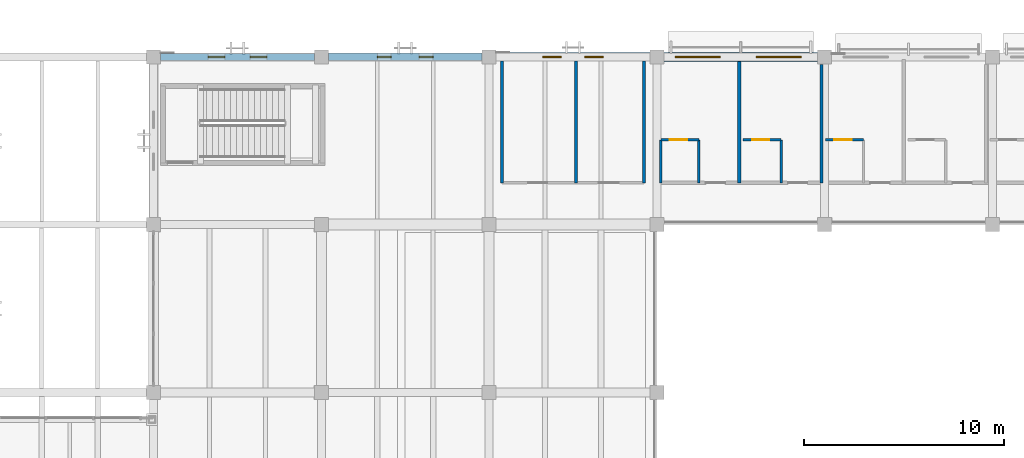
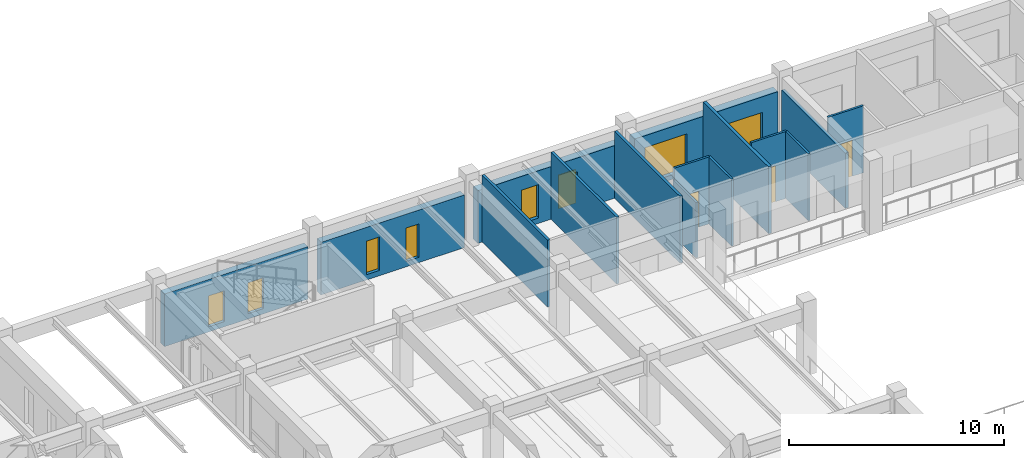
# One storey, part 93 of 132: 15 walls, 8 windows, 3 doors, 11 openings.
"""IFC4 building model written with IfcOpenShell, lengths in metres."""

from ifc_helpers import new_model, si_unit, direction, frame, frame_2d, origin, place, context, subcontext, project, spatial, rectangle, extrude, material, layer, layer_set, type_object, element, fill, save


model = new_model("IFC4")

# Units and contexts
model_context = context("Model", 3, precision=1e-05, world=origin(), true_north=direction((0.0, 1.0)))
body_context = subcontext(model_context, "Body", "Model", "MODEL_VIEW")
ifc_project = project(units=[si_unit("LENGTHUNIT", "METRE"), si_unit("AREAUNIT", "SQUARE_METRE"), si_unit("VOLUMEUNIT", "CUBIC_METRE"), si_unit("PLANEANGLEUNIT", "RADIAN"), si_unit("MASSUNIT", "GRAM", prefix="KILO")], contexts=[model_context])

# Site, building, storey
site_placement = place(None, origin())
site = spatial("IfcSite", under=ifc_project, at=site_placement, CompositionType="ELEMENT")
building_placement = place(site_placement, origin())
building = spatial("IfcBuilding", under=site, at=building_placement, Name="Cumbredor Promenade Congress Hotel", CompositionType="ELEMENT")
storey_placement = place(building_placement, frame((0.0, 0.0, 7.56005859375)))
storey = spatial("IfcBuildingStorey", under=building, at=storey_placement, Name="L02", CompositionType="ELEMENT", Elevation=7.56005859375)

# Wall, opening, door
ifc_material_1 = material(Name="Moisture-resistant gypsum board on steel studs", Category="steel")
ifc_layer_1 = layer(ifc_material_1, 0.114990234375, Name="Moisture-resistant gypsum board on steel studs", Category="steel")
ifc_layer_set_1 = layer_set([ifc_layer_1], Name="Moisture-resistant gypsum board on steel studs")
wall_type_1 = type_object("IfcWallType", Name="WL-BATH-115", PredefinedType="PARTITIONING", material=ifc_layer_set_1)
wall_1_placement = place(storey_placement, frame((117.800048828125, 113.449951171875, 0.0), z_axis=(0.0, 0.0, 1.0), x_axis=(1.0, 0.0, 0.0)))
wall_1 = element("IfcWall", 1, at=wall_1_placement, inside=storey, type_object=wall_type_1, Name="L02 Interior Partition W-L02-FBH-F0201", PredefinedType="PARTITIONING", context=body_context, shape_type="SweptSolid", body=[
    extrude(rectangle(XDim=1.89990234375, YDim=0.114990234375, at=frame_2d((0.949951171875, 0.0))), origin(), (0.0, 0.0, 1.0), 3.800048828125),
])
opening_1_placement = place(wall_1_placement, frame((0.449951171875, 0.0, 0.0)))
opening_1 = element("IfcOpeningElement", 2, at=opening_1_placement, cuts=wall_1, Name="Opening ID-01", PredefinedType="OPENING", context=body_context, shape_type="SweptSolid", body=[
    extrude(rectangle(XDim=0.860107421875, YDim=2.050048828125, at=frame_2d((0.43017578125, 1.02490234375))), frame((0.0, 0.0673828125, 0.0), z_axis=(0.0, -1.0, 0.0), x_axis=(1.0, 0.0, 0.0)), (0.0, 0.0, 1.0), 0.135009765625),
])
ifc_material_2 = material(Name="Kiln-dried tropical hardwood", Category="wood")
door_type = type_object("IfcDoorType", Name="DR-BATH-860", OperationType="NOTDEFINED", PredefinedType="DOOR", material=ifc_material_2)
door_1_placement = place(opening_1_placement, origin())
door_1 = element("IfcDoor", 3, at=door_1_placement, inside=storey, type_object=door_type, Name="L02 Interior Door W-L02-FBH-F0201-01", OperationType="SINGLE_SWING_RIGHT", OverallHeight=2.050048828125, OverallWidth=0.860107421875, PredefinedType="DOOR", context=body_context, shape_type="SweptSolid", body=[
    extrude(rectangle(XDim=0.860107421875, YDim=2.050048828125, at=frame_2d((0.43017578125, 1.02490234375))), frame((0.0, 0.02490234375, 0.0), z_axis=(0.0, -1.0, 0.0), x_axis=(1.0, 0.0, 0.0)), (0.0, 0.0, 1.0), 0.050048828125),
])
fill(opening_1, door_1)

# Walls
wall_2_placement = place(storey_placement, frame((119.699951171875, 111.300048828125, 0.0), z_axis=(0.0, 0.0, 1.0), x_axis=(0.0, 1.0, 0.0)))
element("IfcWall", 4, at=wall_2_placement, inside=storey, type_object=wall_type_1, Name="L02 Interior Partition W-L02-FBV-F0201", PredefinedType="PARTITIONING", context=body_context, shape_type="SweptSolid", body=[
    extrude(rectangle(XDim=2.14990234375, YDim=0.114990234375, at=frame_2d((1.074951171875, 0.0))), origin(), (0.0, 0.0, 1.0), 3.800048828125),
])
wall_3_placement = place(storey_placement, frame((117.800048828125, 111.300048828125, 0.0), z_axis=(0.0, 0.0, 1.0), x_axis=(0.0, 1.0, 0.0)))
element("IfcWall", 5, at=wall_3_placement, inside=storey, type_object=wall_type_1, Name="L02 Interior Partition W-L02-FBV0-F0201", PredefinedType="PARTITIONING", context=body_context, shape_type="SweptSolid", body=[
    extrude(rectangle(XDim=2.14990234375, YDim=0.114990234375, at=frame_2d((1.074951171875, 0.0))), origin(), (0.0, 0.0, 1.0), 3.135009765625),
])

# Wall, opening, door
wall_4_placement = place(storey_placement, frame((121.919921875, 113.449951171875, 0.0), z_axis=(0.0, 0.0, 1.0), x_axis=(1.0, 0.0, 0.0)))
wall_4 = element("IfcWall", 6, at=wall_4_placement, inside=storey, type_object=wall_type_1, Name="L02 Interior Partition W-L02-FBH-F0202", PredefinedType="PARTITIONING", context=body_context, shape_type="SweptSolid", body=[
    extrude(rectangle(XDim=1.900146484375, YDim=0.114990234375, at=frame_2d((0.9501953125, 0.0))), origin(), (0.0, 0.0, 1.0), 3.800048828125),
])
opening_2_placement = place(wall_4_placement, frame((0.449951171875, 0.0, 0.0)))
opening_2 = element("IfcOpeningElement", 7, at=opening_2_placement, cuts=wall_4, Name="Opening ID-01", PredefinedType="OPENING", context=body_context, shape_type="SweptSolid", body=[
    extrude(rectangle(XDim=0.860107421875, YDim=2.050048828125, at=frame_2d((0.43017578125, 1.02490234375))), frame((0.0, 0.0673828125, 0.0), z_axis=(0.0, -1.0, 0.0), x_axis=(1.0, 0.0, 0.0)), (0.0, 0.0, 1.0), 0.135009765625),
])
door_2_placement = place(opening_2_placement, origin())
door_2 = element("IfcDoor", 8, at=door_2_placement, inside=storey, type_object=door_type, Name="L02 Interior Door W-L02-FBH-F0202-01", OperationType="SINGLE_SWING_LEFT", OverallHeight=2.050048828125, OverallWidth=0.860107421875, PredefinedType="DOOR", context=body_context, shape_type="SweptSolid", body=[
    extrude(rectangle(XDim=0.860107421875, YDim=2.050048828125, at=frame_2d((0.43017578125, 1.02490234375))), frame((0.0, 0.02490234375, 0.0), z_axis=(0.0, -1.0, 0.0), x_axis=(1.0, 0.0, 0.0)), (0.0, 0.0, 1.0), 0.050048828125),
])
fill(opening_2, door_2)

# Wall
wall_5_placement = place(storey_placement, frame((123.820068359375, 111.300048828125, 0.0), z_axis=(0.0, 0.0, 1.0), x_axis=(0.0, 1.0, 0.0)))
element("IfcWall", 9, at=wall_5_placement, inside=storey, type_object=wall_type_1, Name="L02 Interior Partition W-L02-FBV-F0202", PredefinedType="PARTITIONING", context=body_context, shape_type="SweptSolid", body=[
    extrude(rectangle(XDim=2.14990234375, YDim=0.114990234375, at=frame_2d((1.074951171875, 0.0))), origin(), (0.0, 0.0, 1.0), 3.800048828125),
])

# Wall, opening, door
wall_6_placement = place(storey_placement, frame((126.0400390625, 113.449951171875, 0.0), z_axis=(0.0, 0.0, 1.0), x_axis=(1.0, 0.0, 0.0)))
wall_6 = element("IfcWall", 10, at=wall_6_placement, inside=storey, type_object=wall_type_1, Name="L02 Interior Partition W-L02-FBH-F0203", PredefinedType="PARTITIONING", context=body_context, shape_type="SweptSolid", body=[
    extrude(rectangle(XDim=1.89990234375, YDim=0.114990234375, at=frame_2d((0.949951171875, 0.0))), origin(), (0.0, 0.0, 1.0), 3.800048828125),
])
opening_3_placement = place(wall_6_placement, frame((0.449951171875, 0.0, 0.0)))
opening_3 = element("IfcOpeningElement", 11, at=opening_3_placement, cuts=wall_6, Name="Opening ID-01", PredefinedType="OPENING", context=body_context, shape_type="SweptSolid", body=[
    extrude(rectangle(XDim=0.860107421875, YDim=2.050048828125, at=frame_2d((0.43017578125, 1.02490234375))), frame((0.0, 0.0673828125, 0.0), z_axis=(0.0, -1.0, 0.0), x_axis=(1.0, 0.0, 0.0)), (0.0, 0.0, 1.0), 0.135009765625),
])
door_3_placement = place(opening_3_placement, origin())
door_3 = element("IfcDoor", 12, at=door_3_placement, inside=storey, type_object=door_type, Name="L02 Interior Door W-L02-FBH-F0203-01", OperationType="SINGLE_SWING_RIGHT", OverallHeight=2.050048828125, OverallWidth=0.860107421875, PredefinedType="DOOR", context=body_context, shape_type="SweptSolid", body=[
    extrude(rectangle(XDim=0.860107421875, YDim=2.050048828125, at=frame_2d((0.43017578125, 1.02490234375))), frame((0.0, 0.02490234375, 0.0), z_axis=(0.0, -1.0, 0.0), x_axis=(1.0, 0.0, 0.0)), (0.0, 0.0, 1.0), 0.050048828125),
])
fill(opening_3, door_3)

# Wall, openings, windows
ifc_material_3 = material(Name="Concrete C40/50", Category="concrete")
ifc_layer_2 = layer(ifc_material_3, 0.35009765625, Name="Concrete C40/50", Category="concrete")
ifc_layer_set_2 = layer_set([ifc_layer_2], Name="Concrete C40/50")
wall_type_2 = type_object("IfcWallType", Name="WL-EXT-350", PredefinedType="SOLIDWALL", material=ifc_layer_set_2)
wall_7_placement = place(storey_placement, frame((92.7509765625, 117.60009765625, 0.0), z_axis=(0.0, 0.0, 1.0), x_axis=(1.0, 0.0, 0.0)))
wall_7 = element("IfcWall", 13, at=wall_7_placement, inside=storey, type_object=wall_type_2, Name="L02 Pre-Function and Breakout Meeting Forum North Envelope Wall 1", PredefinedType="SOLIDWALL", context=body_context, shape_type="SweptSolid", body=[
    extrude(rectangle(XDim=7.697998046875, YDim=0.35009765625, at=frame_2d((3.84912109375, 0.0))), origin(), (0.0, 0.0, 1.0), 2.98486328125),
])
opening_4_placement = place(wall_7_placement, frame((2.37890625, 0.0, 0.300048828125)))
opening_4 = element("IfcOpeningElement", 14, at=opening_4_placement, cuts=wall_7, Name="Opening WN-62", PredefinedType="OPENING", context=body_context, shape_type="SweptSolid", body=[
    extrude(rectangle(XDim=0.840087890625, YDim=1.75, at=frame_2d((0.419921875, 0.875))), frame((0.0, 0.18505859375, 0.0), z_axis=(0.0, -1.0, 0.0), x_axis=(1.0, 0.0, 0.0)), (0.0, 0.0, 1.0), 0.3701171875),
])
opening_5_placement = place(wall_7_placement, frame((4.47900390625, 0.0, 0.300048828125)))
opening_5 = element("IfcOpeningElement", 15, at=opening_5_placement, cuts=wall_7, Name="Opening WN-62", PredefinedType="OPENING", context=body_context, shape_type="SweptSolid", body=[
    extrude(rectangle(XDim=0.840087890625, YDim=1.75, at=frame_2d((0.419921875, 0.875))), frame((0.0, 0.18505859375, 0.0), z_axis=(0.0, -1.0, 0.0), x_axis=(1.0, 0.0, 0.0)), (0.0, 0.0, 1.0), 0.3701171875),
])
ifc_material_4 = material(Name="Thermally broken anodized aluminium and low-E glass", Category="aluminium")
window_type_1 = type_object("IfcWindowType", Name="Vertical Slot Window WN-62 840x1750", PartitioningType="SINGLE_PANEL", PredefinedType="WINDOW", material=ifc_material_4)
window_1_placement = place(opening_4_placement, origin())
window_1 = element("IfcWindow", 16, at=window_1_placement, inside=storey, type_object=window_type_1, Name="L02 Vertical Slot Window 0266", OverallHeight=1.75, OverallWidth=0.840087890625, PartitioningType="SINGLE_PANEL", PredefinedType="WINDOW", context=body_context, shape_type="SweptSolid", body=[
    extrude(rectangle(XDim=0.840087890625, YDim=1.75, at=frame_2d((0.419921875, 0.875))), frame((0.0, 0.030029296875, 0.0), z_axis=(0.0, -1.0, 0.0), x_axis=(1.0, 0.0, 0.0)), (0.0, 0.0, 1.0), 0.06005859375),
])
fill(opening_4, window_1)
window_2_placement = place(opening_5_placement, origin())
window_2 = element("IfcWindow", 17, at=window_2_placement, inside=storey, type_object=window_type_1, Name="L02 Vertical Slot Window 0267", OverallHeight=1.75, OverallWidth=0.840087890625, PartitioningType="SINGLE_PANEL", PredefinedType="WINDOW", context=body_context, shape_type="SweptSolid", body=[
    extrude(rectangle(XDim=0.840087890625, YDim=1.75, at=frame_2d((0.419921875, 0.875))), frame((0.0, 0.030029296875, 0.0), z_axis=(0.0, -1.0, 0.0), x_axis=(1.0, 0.0, 0.0)), (0.0, 0.0, 1.0), 0.06005859375),
])
fill(opening_5, window_2)

ifc_layer_3 = layer(ifc_material_3, 0.3798828125, Name="Concrete C40/50", Category="concrete")
ifc_layer_set_3 = layer_set([ifc_layer_3], Name="Concrete C40/50")
wall_type_3 = type_object("IfcWallType", Name="WL-EXT-380", PredefinedType="SOLIDWALL", material=ifc_layer_set_3)
wall_8_placement = place(storey_placement, frame((101.15087890625, 117.60009765625, 0.0), z_axis=(0.0, 0.0, 1.0), x_axis=(1.0, 0.0, 0.0)))
wall_8 = element("IfcWall", 18, at=wall_8_placement, inside=storey, type_object=wall_type_3, Name="L02 Pre-Function and Breakout Meeting Forum North Envelope Wall 2", PredefinedType="SOLIDWALL", context=body_context, shape_type="SweptSolid", body=[
    extrude(rectangle(XDim=7.6982421875, YDim=0.3798828125, at=frame_2d((3.84912109375, 0.0))), origin(), (0.0, 0.0, 1.0), 2.98486328125),
])
opening_6_placement = place(wall_8_placement, frame((2.448974609375, 0.0, 0.300048828125)))
opening_6 = element("IfcOpeningElement", 19, at=opening_6_placement, cuts=wall_8, Name="Opening WN-65", PredefinedType="OPENING", context=body_context, shape_type="SweptSolid", body=[
    extrude(rectangle(XDim=0.699951171875, YDim=1.89990234375, at=frame_2d((0.35009765625, 0.949951171875))), frame((0.0, 0.199951171875, 0.0), z_axis=(0.0, -1.0, 0.0), x_axis=(1.0, 0.0, 0.0)), (0.0, 0.0, 1.0), 0.39990234375),
])
opening_7_placement = place(wall_8_placement, frame((4.549072265625, 0.0, 0.300048828125)))
opening_7 = element("IfcOpeningElement", 20, at=opening_7_placement, cuts=wall_8, Name="Opening WN-65", PredefinedType="OPENING", context=body_context, shape_type="SweptSolid", body=[
    extrude(rectangle(XDim=0.699951171875, YDim=1.89990234375, at=frame_2d((0.35009765625, 0.949951171875))), frame((0.0, 0.199951171875, 0.0), z_axis=(0.0, -1.0, 0.0), x_axis=(1.0, 0.0, 0.0)), (0.0, 0.0, 1.0), 0.39990234375),
])
window_type_2 = type_object("IfcWindowType", Name="Vertical Slot Window WN-65 700x1900", PartitioningType="SINGLE_PANEL", PredefinedType="WINDOW", material=ifc_material_4)
window_3_placement = place(opening_6_placement, origin())
window_3 = element("IfcWindow", 21, at=window_3_placement, inside=storey, type_object=window_type_2, Name="L02 Vertical Slot Window 0268", OverallHeight=1.89990234375, OverallWidth=0.699951171875, PartitioningType="SINGLE_PANEL", PredefinedType="WINDOW", context=body_context, shape_type="SweptSolid", body=[
    extrude(rectangle(XDim=0.699951171875, YDim=1.89990234375, at=frame_2d((0.35009765625, 0.949951171875))), frame((0.0, 0.030029296875, 0.0), z_axis=(0.0, -1.0, 0.0), x_axis=(1.0, 0.0, 0.0)), (0.0, 0.0, 1.0), 0.06005859375),
])
fill(opening_6, window_3)
window_4_placement = place(opening_7_placement, origin())
window_4 = element("IfcWindow", 22, at=window_4_placement, inside=storey, type_object=window_type_2, Name="L02 Vertical Slot Window 0269", OverallHeight=1.89990234375, OverallWidth=0.699951171875, PartitioningType="SINGLE_PANEL", PredefinedType="WINDOW", context=body_context, shape_type="SweptSolid", body=[
    extrude(rectangle(XDim=0.699951171875, YDim=1.89990234375, at=frame_2d((0.35009765625, 0.949951171875))), frame((0.0, 0.030029296875, 0.0), z_axis=(0.0, -1.0, 0.0), x_axis=(1.0, 0.0, 0.0)), (0.0, 0.0, 1.0), 0.06005859375),
])
fill(opening_7, window_4)

ifc_layer_4 = layer(ifc_material_3, 0.425048828125, Name="Concrete C40/50", Category="concrete")
ifc_layer_set_4 = layer_set([ifc_layer_4], Name="Concrete C40/50")
wall_type_4 = type_object("IfcWallType", Name="WL-EXT-425", PredefinedType="SOLIDWALL", material=ifc_layer_set_4)
wall_9_placement = place(storey_placement, frame((109.551025390625, 117.60009765625, 0.0), z_axis=(0.0, 0.0, 1.0), x_axis=(1.0, 0.0, 0.0)))
wall_9 = element("IfcWall", 23, at=wall_9_placement, inside=storey, type_object=wall_type_4, Name="L02 Pre-Function and Breakout Meeting Forum North Envelope Wall 3", PredefinedType="SOLIDWALL", context=body_context, shape_type="SweptSolid", body=[
    extrude(rectangle(XDim=7.697998046875, YDim=0.425048828125, at=frame_2d((3.84912109375, 0.0))), origin(), (0.0, 0.0, 1.0), 2.98486328125),
])
opening_8_placement = place(wall_9_placement, frame((2.333984375, 0.0, 0.300048828125)))
opening_8 = element("IfcOpeningElement", 24, at=opening_8_placement, cuts=wall_9, Name="Opening WN-68", PredefinedType="OPENING", context=body_context, shape_type="SweptSolid", body=[
    extrude(rectangle(XDim=0.929931640625, YDim=1.89990234375, at=frame_2d((0.46484375, 0.949951171875))), frame((0.0, 0.22265625, 0.0), z_axis=(0.0, -1.0, 0.0), x_axis=(1.0, 0.0, 0.0)), (0.0, 0.0, 1.0), 0.445068359375),
])
opening_9_placement = place(wall_9_placement, frame((4.43408203125, 0.0, 0.300048828125)))
opening_9 = element("IfcOpeningElement", 25, at=opening_9_placement, cuts=wall_9, Name="Opening WN-68", PredefinedType="OPENING", context=body_context, shape_type="SweptSolid", body=[
    extrude(rectangle(XDim=0.929931640625, YDim=1.89990234375, at=frame_2d((0.46484375, 0.949951171875))), frame((0.0, 0.22265625, 0.0), z_axis=(0.0, -1.0, 0.0), x_axis=(1.0, 0.0, 0.0)), (0.0, 0.0, 1.0), 0.445068359375),
])
window_type_3 = type_object("IfcWindowType", Name="Vertical Slot Window WN-68 930x1900", PartitioningType="SINGLE_PANEL", PredefinedType="WINDOW", material=ifc_material_4)
window_5_placement = place(opening_8_placement, origin())
window_5 = element("IfcWindow", 26, at=window_5_placement, inside=storey, type_object=window_type_3, Name="L02 Vertical Slot Window 0270", OverallHeight=1.89990234375, OverallWidth=0.929931640625, PartitioningType="SINGLE_PANEL", PredefinedType="WINDOW", context=body_context, shape_type="SweptSolid", body=[
    extrude(rectangle(XDim=0.929931640625, YDim=1.89990234375, at=frame_2d((0.46484375, 0.949951171875))), frame((0.0, 0.030029296875, 0.0), z_axis=(0.0, -1.0, 0.0), x_axis=(1.0, 0.0, 0.0)), (0.0, 0.0, 1.0), 0.06005859375),
])
fill(opening_8, window_5)
window_6_placement = place(opening_9_placement, origin())
window_6 = element("IfcWindow", 27, at=window_6_placement, inside=storey, type_object=window_type_3, Name="L02 Vertical Slot Window 0271", OverallHeight=1.89990234375, OverallWidth=0.929931640625, PartitioningType="SINGLE_PANEL", PredefinedType="WINDOW", context=body_context, shape_type="SweptSolid", body=[
    extrude(rectangle(XDim=0.929931640625, YDim=1.89990234375, at=frame_2d((0.46484375, 0.949951171875))), frame((0.0, 0.030029296875, 0.0), z_axis=(0.0, -1.0, 0.0), x_axis=(1.0, 0.0, 0.0)), (0.0, 0.0, 1.0), 0.06005859375),
])
fill(opening_9, window_6)

ifc_layer_5 = layer(ifc_material_3, 0.449951171875, Name="Concrete C40/50", Category="concrete")
ifc_layer_set_5 = layer_set([ifc_layer_5], Name="Concrete C40/50")
wall_type_5 = type_object("IfcWallType", Name="WL-EXT-450", PredefinedType="SOLIDWALL", material=ifc_layer_set_5)
wall_10_placement = place(storey_placement, frame((117.950927734375, 117.60009765625, 0.0), z_axis=(0.0, 0.0, 1.0), x_axis=(1.0, 0.0, 0.0)))
wall_10 = element("IfcWall", 28, at=wall_10_placement, inside=storey, type_object=wall_type_5, Name="L02 Pre-Function and Breakout Meeting Forum North Envelope Wall 4", PredefinedType="SOLIDWALL", context=body_context, shape_type="SweptSolid", body=[
    extrude(rectangle(XDim=7.697998046875, YDim=0.449951171875, at=frame_2d((3.84912109375, 0.0))), origin(), (0.0, 0.0, 1.0), 2.98486328125),
])
opening_10_placement = place(wall_10_placement, frame((0.573974609375, 0.0, 0.25)))
opening_10 = element("IfcOpeningElement", 29, at=opening_10_placement, cuts=wall_10, Name="Opening WN-13", PredefinedType="OPENING", context=body_context, shape_type="SweptSolid", body=[
    extrude(rectangle(XDim=2.25, YDim=2.050048828125, at=frame_2d((1.125, 1.02490234375))), frame((0.0, 0.23486328125, 0.0), z_axis=(0.0, -1.0, 0.0), x_axis=(1.0, 0.0, 0.0)), (0.0, 0.0, 1.0), 0.469970703125),
])
opening_11_placement = place(wall_10_placement, frame((4.6240234375, 0.0, 0.25)))
opening_11 = element("IfcOpeningElement", 30, at=opening_11_placement, cuts=wall_10, Name="Opening WN-01", PredefinedType="OPENING", context=body_context, shape_type="SweptSolid", body=[
    extrude(rectangle(XDim=2.25, YDim=1.85009765625, at=frame_2d((1.125, 0.925048828125))), frame((0.0, 0.23486328125, 0.0), z_axis=(0.0, -1.0, 0.0), x_axis=(1.0, 0.0, 0.0)), (0.0, 0.0, 1.0), 0.469970703125),
])
window_type_4 = type_object("IfcWindowType", Name="Hospitality Floor-to-Ceiling Window WN-01 2250x1850", PartitioningType="DOUBLE_PANEL_VERTICAL", PredefinedType="WINDOW", material=ifc_material_4)
window_7_placement = place(opening_11_placement, origin())
window_7 = element("IfcWindow", 31, at=window_7_placement, inside=storey, type_object=window_type_4, Name="L02 Wide Hospitality Window 0273", OverallHeight=1.85009765625, OverallWidth=2.25, PartitioningType="DOUBLE_PANEL_VERTICAL", PredefinedType="WINDOW", context=body_context, shape_type="SweptSolid", body=[
    extrude(rectangle(XDim=2.25, YDim=1.85009765625, at=frame_2d((1.125, 0.925048828125))), frame((0.0, 0.030029296875, 0.0), z_axis=(0.0, -1.0, 0.0), x_axis=(1.0, 0.0, 0.0)), (0.0, 0.0, 1.0), 0.06005859375),
])
fill(opening_11, window_7)
window_type_5 = type_object("IfcWindowType", Name="Hospitality Floor-to-Ceiling Window WN-13 2250x2050", PartitioningType="DOUBLE_PANEL_VERTICAL", PredefinedType="WINDOW", material=ifc_material_4)
window_8_placement = place(opening_10_placement, origin())
window_8 = element("IfcWindow", 32, at=window_8_placement, inside=storey, type_object=window_type_5, Name="L02 Wide Hospitality Window 0272", OverallHeight=2.050048828125, OverallWidth=2.25, PartitioningType="DOUBLE_PANEL_VERTICAL", PredefinedType="WINDOW", context=body_context, shape_type="SweptSolid", body=[
    extrude(rectangle(XDim=2.25, YDim=2.050048828125, at=frame_2d((1.125, 1.02490234375))), frame((0.0, 0.030029296875, 0.0), z_axis=(0.0, -1.0, 0.0), x_axis=(1.0, 0.0, 0.0)), (0.0, 0.0, 1.0), 0.06005859375),
])
fill(opening_10, window_8)

# Walls
ifc_material_5 = material(Name="Acoustic gypsum partition on steel studs", Category="steel")
ifc_layer_6 = layer(ifc_material_5, 0.139892578125, Name="Acoustic gypsum partition on steel studs", Category="steel")
ifc_layer_set_6 = layer_set([ifc_layer_6], Name="Acoustic gypsum partition on steel studs")
wall_type_6 = type_object("IfcWallType", Name="WL-PART-140", PredefinedType="PARTITIONING", material=ifc_layer_set_6)
for number, where, z_axis, x_axis, name in (
    (33, (109.85009765625, 111.300048828125, 0.0), (0.0, 0.0, 1.0), (0.0, 1.0, 0.0), "L02 Interior Partition W-L02-V4-WC-W"),
    (34, (113.550048828125, 111.300048828125, 0.0), (0.0, 0.0, 1.0), (0.0, 1.0, 0.0), "L02 Interior Partition W-L02-V4-WC-M"),
    (35, (116.949951171875, 111.300048828125, 0.0), (0.0, 0.0, 1.0), (0.0, 1.0, 0.0), "L02 Interior Partition W-L02-V4-WC-E"),
):
    element("IfcWall", number, at=place(storey_placement, frame(where, z_axis=z_axis, x_axis=x_axis)), inside=storey, type_object=wall_type_6, Name=name, PredefinedType="PARTITIONING", context=body_context, shape_type="SweptSolid", body=[
        extrude(rectangle(XDim=6.08740234375, YDim=0.139892578125, at=frame_2d((3.043701171875, 0.0))), origin(), (0.0, 0.0, 1.0), 3.800048828125),
    ])
ifc_material_6 = material(Name="Fire-rated acoustic double-stud partition")
ifc_layer_7 = layer(ifc_material_6, 0.1650390625, Name="Fire-rated acoustic double-stud partition")
ifc_layer_set_7 = layer_set([ifc_layer_7], Name="Fire-rated acoustic double-stud partition")
wall_type_7 = type_object("IfcWallType", Name="WL-UNIT-165", PredefinedType="PARTITIONING", material=ifc_layer_set_7)
wall_11_placement = place(storey_placement, frame((121.719970703125, 111.300048828125, 0.0), z_axis=(0.0, 0.0, 1.0), x_axis=(0.0, 1.0, 0.0)))
element("IfcWall", 36, at=wall_11_placement, inside=storey, type_object=wall_type_7, Name="L02 Interior Partition W-L02-FDIV-1", PredefinedType="PARTITIONING", context=body_context, shape_type="SweptSolid", body=[
    extrude(rectangle(XDim=6.074951171875, YDim=0.1650390625, at=frame_2d((3.03759765625, 0.0))), origin(), (0.0, 0.0, 1.0), 3.800048828125),
])
wall_12_placement = place(storey_placement, frame((125.840087890625, 111.300048828125, 0.0), z_axis=(0.0, 0.0, 1.0), x_axis=(0.0, 1.0, 0.0)))
element("IfcWall", 37, at=wall_12_placement, inside=storey, type_object=wall_type_7, Name="L02 Interior Partition W-L02-FDIV-2", PredefinedType="PARTITIONING", context=body_context, shape_type="SweptSolid", body=[
    extrude(rectangle(XDim=5.919921875, YDim=0.1650390625, at=frame_2d((2.9599609375, 0.0))), origin(), (0.0, 0.0, 1.0), 3.135009765625),
])

save(model, "model.ifc")
